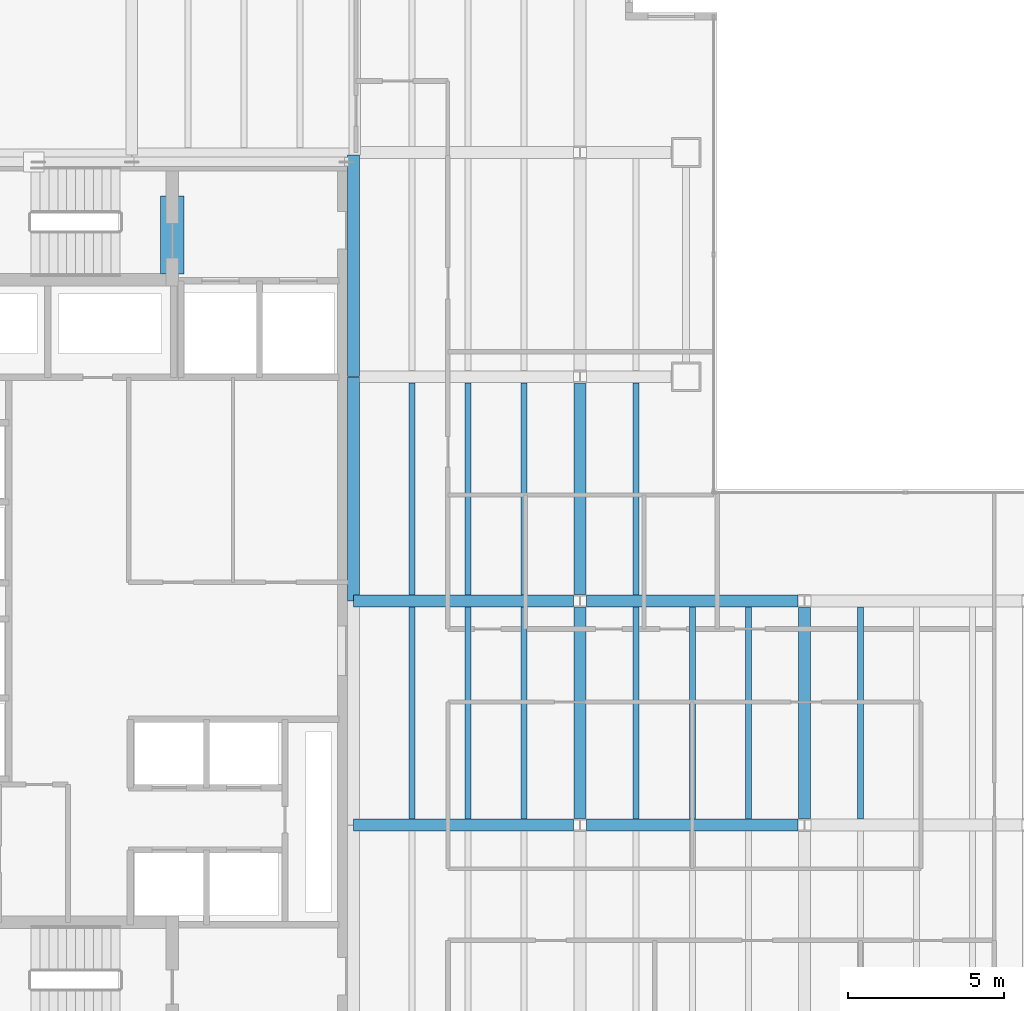
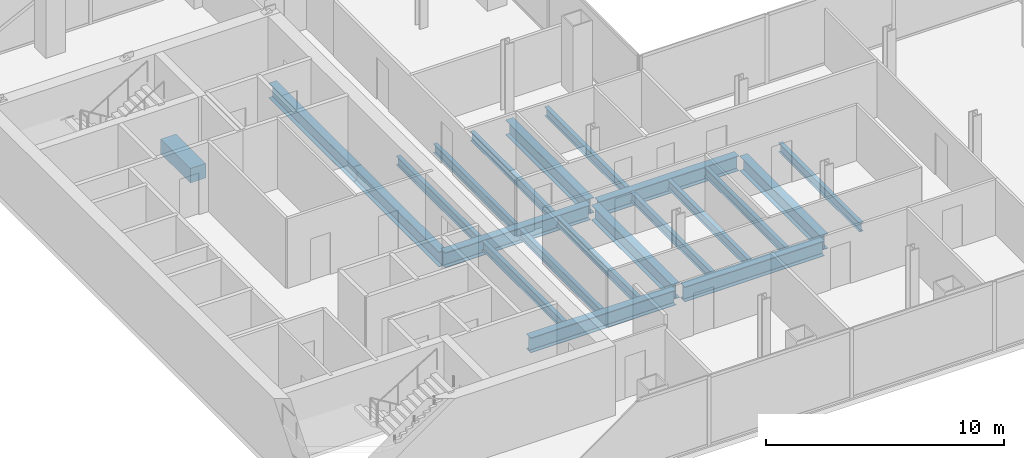
# One storey, part 6 of 23: 21 beams.
"""IFC4 building model written with IfcOpenShell, lengths in metres."""

from ifc_helpers import new_model, si_unit, direction, frame, origin, origin_2d, place, context, subcontext, project, spatial, rectangle, i_section, extrude, material, material_profile, profile_set, type_object, element, save


model = new_model("IFC4")

# Units and contexts
model_context = context("Model", 3, precision=1e-05, world=origin(), true_north=direction((0.0, 1.0)))
body_context = subcontext(model_context, "Body", "Model", "MODEL_VIEW")
ifc_project = project(units=[si_unit("LENGTHUNIT", "METRE"), si_unit("AREAUNIT", "SQUARE_METRE"), si_unit("VOLUMEUNIT", "CUBIC_METRE"), si_unit("PLANEANGLEUNIT", "RADIAN"), si_unit("MASSUNIT", "GRAM", prefix="KILO")], contexts=[model_context])

# Site, building, storey
site_placement = place(None, origin())
site = spatial("IfcSite", under=ifc_project, at=site_placement, CompositionType="ELEMENT")
building_placement = place(site_placement, origin())
building = spatial("IfcBuilding", under=site, at=building_placement, Name="Cobrela Telecom Tower", CompositionType="ELEMENT")
storey_placement = place(building_placement, frame((0.0, 0.0, 113.75)))
storey = spatial("IfcBuildingStorey", under=building, at=storey_placement, Name="L28", CompositionType="ELEMENT", Elevation=113.75)

# Beams
ifc_material_1 = material(Name="Concrete C40/50", Category="concrete")
ifc_material_profile_1 = material_profile(ifc_material_1, rectangle(XDim=0.75, YDim=0.75, at=origin_2d()), Name="RC 750x750")
ifc_profile_set_1 = profile_set([ifc_material_profile_1], Name="Concrete C40/50")
beam_type_1 = type_object("IfcBeamType", Name="BM-COUP-RC", PredefinedType="LINTEL", material=ifc_profile_set_1)
beam_1_placement = place(storey_placement, frame((8.5, 32.10009765625, -0.6201171875), z_axis=(0.0, 1.0, 0.0), x_axis=(-1.0, 0.0, 0.0)))
element("IfcBeam", 1, at=beam_1_placement, inside=storey, type_object=beam_type_1, Name="L28 Core Coupling Lintel Beam", PredefinedType="LINTEL", context=body_context, shape_type="SweptSolid", body=[
    extrude(rectangle(XDim=0.75, YDim=0.75, at=origin_2d()), origin(), (0.0, 0.0, 1.0), 2.5),
])
ifc_material_2 = material(Name="Steel ASTM A992 Grade 50", Category="steel")
ifc_material_profile_2 = material_profile(ifc_material_2, i_section(OverallWidth=0.381103515625, OverallDepth=0.77197265625, WebThickness=0.0166015625, FlangeThickness=0.027099609375, FilletRadius=0.01904296875, at=origin_2d()), Name="W30X173")
ifc_profile_set_2 = profile_set([ifc_material_profile_2], Name="Steel ASTM A992 Grade 50")
beam_type_2 = type_object("IfcBeamType", Name="BM-GIRD-04", PredefinedType="USERDEFINED", material=ifc_profile_set_2)
beam_2_placement = place(storey_placement, frame((14.324951171875, 14.39990234375, -0.656005859375), z_axis=(1.0, 0.0, 0.0), x_axis=(0.0, 1.0, 0.0)))
element("IfcBeam", 2, at=beam_2_placement, inside=storey, type_object=beam_type_2, Name="L28 Primary Girder X13", ObjectType="GIRDER", PredefinedType="USERDEFINED", context=body_context, shape_type="SweptSolid", body=[
    extrude(i_section(OverallWidth=0.381103515625, OverallDepth=0.77197265625, WebThickness=0.0166015625, FlangeThickness=0.027099609375, FilletRadius=0.01904296875, at=origin_2d()), origin(), (0.0, 0.0, 1.0), 7.0654296875),
])
beam_3_placement = place(storey_placement, frame((21.8095703125, 14.39990234375, -0.656005859375), z_axis=(1.0, 0.0, 0.0), x_axis=(0.0, 1.0, 0.0)))
element("IfcBeam", 3, at=beam_3_placement, inside=storey, type_object=beam_type_2, Name="L28 Primary Girder X14", ObjectType="GIRDER", PredefinedType="USERDEFINED", context=body_context, shape_type="SweptSolid", body=[
    extrude(i_section(OverallWidth=0.381103515625, OverallDepth=0.77197265625, WebThickness=0.0166015625, FlangeThickness=0.027099609375, FilletRadius=0.01904296875, at=origin_2d()), origin(), (0.0, 0.0, 1.0), 6.781005859375),
])
beam_4_placement = place(storey_placement, frame((14.324951171875, 21.60009765625, -0.656005859375), z_axis=(1.0, 0.0, 0.0), x_axis=(0.0, 1.0, 0.0)))
element("IfcBeam", 4, at=beam_4_placement, inside=storey, type_object=beam_type_2, Name="L28 Primary Girder X18", ObjectType="GIRDER", PredefinedType="USERDEFINED", context=body_context, shape_type="SweptSolid", body=[
    extrude(i_section(OverallWidth=0.381103515625, OverallDepth=0.77197265625, WebThickness=0.0166015625, FlangeThickness=0.027099609375, FilletRadius=0.01904296875, at=origin_2d()), origin(), (0.0, 0.0, 1.0), 7.0654296875),
])
beam_5_placement = place(storey_placement, frame((21.8095703125, 21.60009765625, -0.656005859375), z_axis=(1.0, 0.0, 0.0), x_axis=(0.0, 1.0, 0.0)))
element("IfcBeam", 5, at=beam_5_placement, inside=storey, type_object=beam_type_2, Name="L28 Primary Girder X19", ObjectType="GIRDER", PredefinedType="USERDEFINED", context=body_context, shape_type="SweptSolid", body=[
    extrude(i_section(OverallWidth=0.381103515625, OverallDepth=0.77197265625, WebThickness=0.0166015625, FlangeThickness=0.027099609375, FilletRadius=0.01904296875, at=origin_2d()), origin(), (0.0, 0.0, 1.0), 6.781005859375),
])
beam_6_placement = place(storey_placement, frame((14.320068359375, 21.60498046875, -0.656005859375), z_axis=(0.0, 1.0, 0.0), x_axis=(-1.0, 0.0, 0.0)))
element("IfcBeam", 6, at=beam_6_placement, inside=storey, type_object=beam_type_2, Name="L28 Primary Girder Y36", ObjectType="GIRDER", PredefinedType="USERDEFINED", context=body_context, shape_type="SweptSolid", body=[
    extrude(i_section(OverallWidth=0.381103515625, OverallDepth=0.77197265625, WebThickness=0.0166015625, FlangeThickness=0.027099609375, FilletRadius=0.01904296875, at=origin_2d()), origin(), (0.0, 0.0, 1.0), 7.18994140625),
])
beam_7_placement = place(storey_placement, frame((14.320068359375, 28.804931640625, -0.656005859375), z_axis=(0.0, 1.0, 0.0), x_axis=(-1.0, 0.0, 0.0)))
element("IfcBeam", 7, at=beam_7_placement, inside=storey, type_object=beam_type_2, Name="L28 Primary Girder Y37", ObjectType="GIRDER", PredefinedType="USERDEFINED", context=body_context, shape_type="SweptSolid", body=[
    extrude(i_section(OverallWidth=0.381103515625, OverallDepth=0.77197265625, WebThickness=0.0166015625, FlangeThickness=0.027099609375, FilletRadius=0.01904296875, at=origin_2d()), origin(), (0.0, 0.0, 1.0), 7.110107421875),
])
beam_8_placement = place(storey_placement, frame((21.60009765625, 14.609619140625, -0.656005859375), z_axis=(0.0, 1.0, 0.0), x_axis=(-1.0, 0.0, 0.0)))
element("IfcBeam", 8, at=beam_8_placement, inside=storey, type_object=beam_type_2, Name="L28 Primary Girder Y41", ObjectType="GIRDER", PredefinedType="USERDEFINED", context=body_context, shape_type="SweptSolid", body=[
    extrude(i_section(OverallWidth=0.381103515625, OverallDepth=0.77197265625, WebThickness=0.0166015625, FlangeThickness=0.027099609375, FilletRadius=0.01904296875, at=origin_2d()), origin(), (0.0, 0.0, 1.0), 6.78076171875),
])
beam_9_placement = place(storey_placement, frame((21.60009765625, 21.8095703125, -0.656005859375), z_axis=(0.0, 1.0, 0.0), x_axis=(-1.0, 0.0, 0.0)))
element("IfcBeam", 9, at=beam_9_placement, inside=storey, type_object=beam_type_2, Name="L28 Primary Girder Y42", ObjectType="GIRDER", PredefinedType="USERDEFINED", context=body_context, shape_type="SweptSolid", body=[
    extrude(i_section(OverallWidth=0.381103515625, OverallDepth=0.77197265625, WebThickness=0.0166015625, FlangeThickness=0.027099609375, FilletRadius=0.01904296875, at=origin_2d()), origin(), (0.0, 0.0, 1.0), 6.781005859375),
])
beam_10_placement = place(storey_placement, frame((28.800048828125, 14.609619140625, -0.656005859375), z_axis=(0.0, 1.0, 0.0), x_axis=(-1.0, 0.0, 0.0)))
element("IfcBeam", 10, at=beam_10_placement, inside=storey, type_object=beam_type_2, Name="L28 Primary Girder Y48", ObjectType="GIRDER", PredefinedType="USERDEFINED", context=body_context, shape_type="SweptSolid", body=[
    extrude(i_section(OverallWidth=0.381103515625, OverallDepth=0.77197265625, WebThickness=0.0166015625, FlangeThickness=0.027099609375, FilletRadius=0.01904296875, at=origin_2d()), origin(), (0.0, 0.0, 1.0), 6.78076171875),
])
ifc_material_profile_3 = material_profile(ifc_material_2, i_section(OverallWidth=0.193115234375, OverallDepth=0.467041015625, WebThickness=0.011474609375, FlangeThickness=0.01904296875, FilletRadius=0.012939453125, at=origin_2d()), Name="W18X65")
ifc_profile_set_3 = profile_set([ifc_material_profile_3], Name="Steel ASTM A992 Grade 50")
beam_type_3 = type_object("IfcBeamType", Name="BM-JOIST-03", PredefinedType="JOIST", material=ifc_profile_set_3)
for number, where, z_axis, x_axis, name in (
    (11, (16.199951171875, 14.595458984375, -0.50341796875), (0.0, 1.0, 0.0), (-1.0, 0.0, 0.0), "L28 Secondary Composite Floor Beam J05"),
    (12, (16.199951171875, 21.79541015625, -0.50341796875), (0.0, 1.0, 0.0), (-1.0, 0.0, 0.0), "L28 Secondary Composite Floor Beam J06"),
    (13, (18.0, 14.595458984375, -0.50341796875), (0.0, 1.0, 0.0), (-1.0, 0.0, 0.0), "L28 Secondary Composite Floor Beam J10"),
    (14, (18.0, 21.79541015625, -0.50341796875), (0.0, 1.0, 0.0), (-1.0, 0.0, 0.0), "L28 Secondary Composite Floor Beam J11"),
    (15, (19.800048828125, 14.595458984375, -0.50341796875), (0.0, 1.0, 0.0), (-1.0, 0.0, 0.0), "L28 Secondary Composite Floor Beam J15"),
    (16, (19.800048828125, 21.79541015625, -0.50341796875), (0.0, 1.0, 0.0), (-1.0, 0.0, 0.0), "L28 Secondary Composite Floor Beam J16"),
    (17, (23.39990234375, 14.595458984375, -0.50341796875), (0.0, 1.0, 0.0), (-1.0, 0.0, 0.0), "L28 Secondary Composite Floor Beam J20"),
    (18, (23.39990234375, 21.79541015625, -0.50341796875), (0.0, 1.0, 0.0), (-1.0, 0.0, 0.0), "L28 Secondary Composite Floor Beam J21"),
    (19, (25.199951171875, 14.595458984375, -0.50341796875), (0.0, 1.0, 0.0), (-1.0, 0.0, 0.0), "L28 Secondary Composite Floor Beam J24"),
    (20, (27.0, 14.595458984375, -0.50341796875), (0.0, 1.0, 0.0), (-1.0, 0.0, 0.0), "L28 Secondary Composite Floor Beam J26"),
    (21, (30.60009765625, 14.595458984375, -0.50341796875), (0.0, 1.0, 0.0), (-1.0, 0.0, 0.0), "L28 Secondary Composite Floor Beam J28"),
):
    element("IfcBeam", number, at=place(storey_placement, frame(where, z_axis=z_axis, x_axis=x_axis)), inside=storey, type_object=beam_type_3, Name=name, PredefinedType="JOIST", context=body_context, shape_type="SweptSolid", body=[
        extrude(i_section(OverallWidth=0.193115234375, OverallDepth=0.467041015625, WebThickness=0.011474609375, FlangeThickness=0.01904296875, FilletRadius=0.012939453125, at=origin_2d()), origin(), (0.0, 0.0, 1.0), 6.80908203125),
    ])

save(model, "model.ifc")
